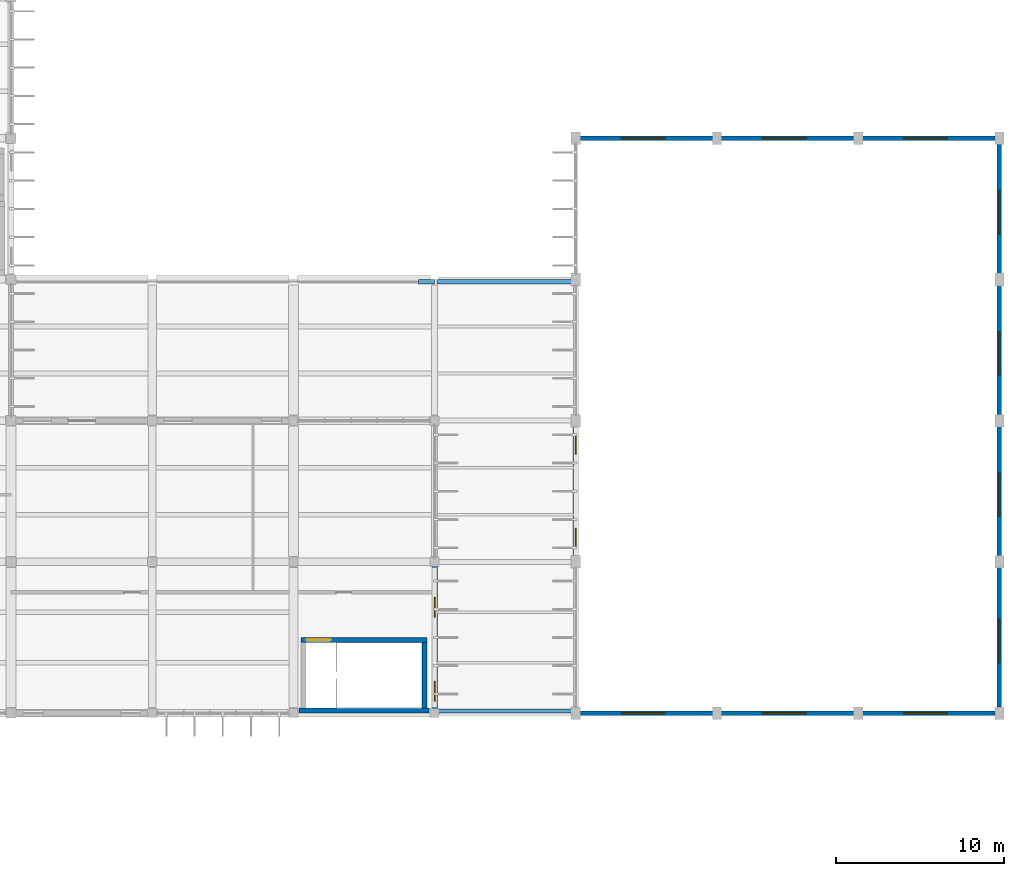
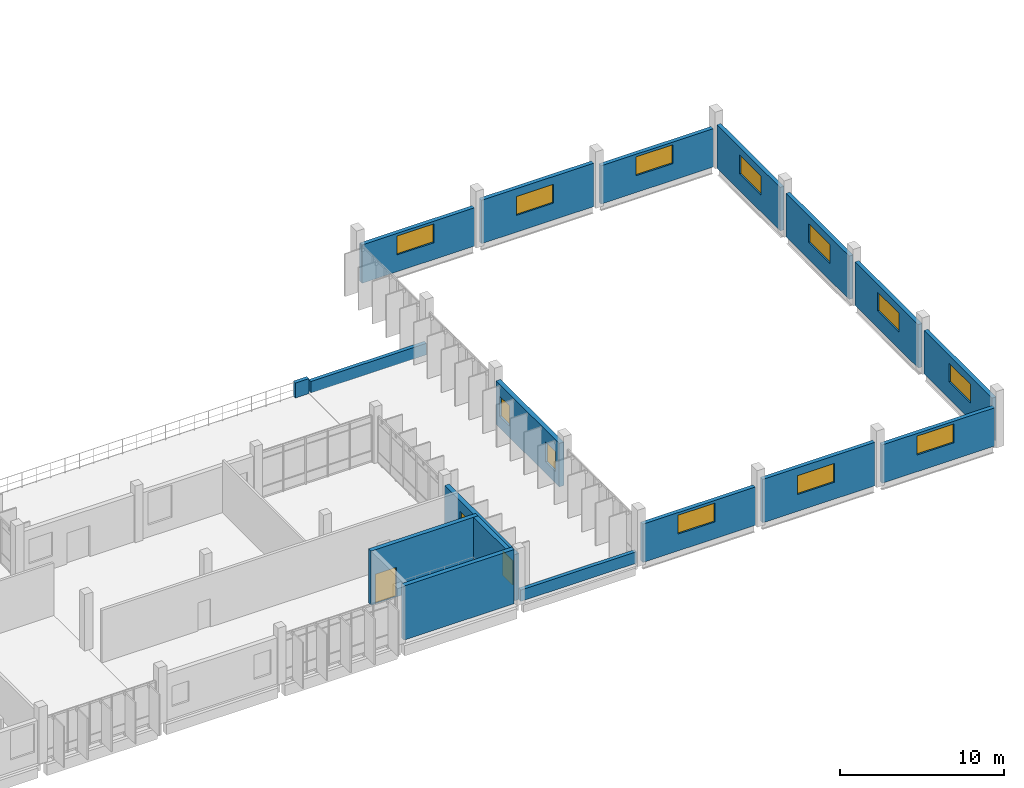
# One storey, part 118 of 130: 18 walls, 14 windows, 1 door, 15 openings.
"""IFC4 building model written with IfcOpenShell, lengths in metres."""

from ifc_helpers import new_model, si_unit, direction, frame, frame_2d, origin, place, context, subcontext, project, spatial, rectangle, extrude, material, layer, layer_set, type_object, element, fill, save


model = new_model("IFC4")

# Units and contexts
model_context = context("Model", 3, precision=1e-05, world=origin(), true_north=direction((0.0, 1.0)))
body_context = subcontext(model_context, "Body", "Model", "MODEL_VIEW")
ifc_project = project(units=[si_unit("LENGTHUNIT", "METRE"), si_unit("AREAUNIT", "SQUARE_METRE"), si_unit("VOLUMEUNIT", "CUBIC_METRE"), si_unit("PLANEANGLEUNIT", "RADIAN"), si_unit("MASSUNIT", "GRAM", prefix="KILO")], contexts=[model_context])

# Site, building, storey
site_placement = place(None, origin())
site = spatial("IfcSite", under=ifc_project, at=site_placement, CompositionType="ELEMENT")
building_placement = place(site_placement, origin())
building = spatial("IfcBuilding", under=site, at=building_placement, Name="Vireocrest Preparatory School", CompositionType="ELEMENT")
storey_placement = place(building_placement, frame((0.0, 0.0, 9.0)))
storey = spatial("IfcBuildingStorey", under=building, at=storey_placement, Name="L02", CompositionType="ELEMENT", Elevation=9.0)

# Wall, openings, windows
ifc_material_1 = material(Name="Precast white concrete 40 MPa", Category="concrete")
ifc_layer_1 = layer(ifc_material_1, 0.320068359375)
ifc_layer_set_1 = layer_set([ifc_layer_1], Name="Precast white concrete 40 MPa")
wall_type_1 = type_object("IfcWallType", Name="High-Tech Insulated Rainscreen External Wall 320", PredefinedType="SOLIDWALL", material=ifc_layer_set_1)
wall_1_placement = place(storey_placement, frame((134.39990234375, 18.25, 0.0), z_axis=(0.0, 0.0, 1.0), x_axis=(0.0, 1.0, 0.0)))
wall_1 = element("IfcWall", 1, at=wall_1_placement, inside=storey, type_object=wall_type_1, Name="External Wall W12 EW_L02_0267", PredefinedType="SOLIDWALL", context=body_context, shape_type="SweptSolid", body=[
    extrude(rectangle(XDim=8.5, YDim=0.320068359375, at=frame_2d((4.25, 0.0))), origin(), (0.0, 0.0, 1.0), 3.429931640625),
])
opening_1_placement = place(wall_1_placement, frame((0.449951171875, 0.0, 0.85009765625)))
opening_1 = element("IfcOpeningElement", 2, at=opening_1_placement, cuts=wall_1, Name="Opening WN02", PredefinedType="OPENING", context=body_context, shape_type="SweptSolid", body=[
    extrude(rectangle(XDim=1.199951171875, YDim=1.800048828125, at=frame_2d((0.60009765625, 0.89990234375))), frame((0.0, 0.169921875, 0.0), z_axis=(0.0, -1.0, 0.0), x_axis=(1.0, 0.0, 0.0)), (0.0, 0.0, 1.0), 0.340087890625),
])
opening_2_placement = place(wall_1_placement, frame((5.449951171875, 0.0, 0.85009765625)))
opening_2 = element("IfcOpeningElement", 3, at=opening_2_placement, cuts=wall_1, Name="Opening WN02", PredefinedType="OPENING", context=body_context, shape_type="SweptSolid", body=[
    extrude(rectangle(XDim=1.199951171875, YDim=1.800048828125, at=frame_2d((0.60009765625, 0.89990234375))), frame((0.0, 0.169921875, 0.0), z_axis=(0.0, -1.0, 0.0), x_axis=(1.0, 0.0, 0.0)), (0.0, 0.0, 1.0), 0.340087890625),
])
ifc_material_2 = material(Name="Thermally broken aluminium EN AW-6063-T6", Category="aluminium")
window_type_1 = type_object("IfcWindowType", Name="Counseling Window 1200x1800", PartitioningType="SINGLE_PANEL", PredefinedType="WINDOW", material=ifc_material_2)
window_1_placement = place(opening_1_placement, origin())
window_1 = element("IfcWindow", 4, at=window_1_placement, inside=storey, type_object=window_type_1, Name="Window W-L02-125 (WN02)", OverallHeight=1.800048828125, OverallWidth=1.199951171875, PartitioningType="SINGLE_PANEL", PredefinedType="WINDOW", context=body_context, shape_type="SweptSolid", body=[
    extrude(rectangle(XDim=1.199951171875, YDim=1.800048828125, at=frame_2d((0.60009765625, 0.89990234375))), frame((0.0, 0.030029296875, 0.0), z_axis=(0.0, -1.0, 0.0), x_axis=(1.0, 0.0, 0.0)), (0.0, 0.0, 1.0), 0.06005859375),
])
fill(opening_1, window_1)
window_2_placement = place(opening_2_placement, origin())
window_2 = element("IfcWindow", 5, at=window_2_placement, inside=storey, type_object=window_type_1, Name="Window W-L02-126 (WN02)", OverallHeight=1.800048828125, OverallWidth=1.199951171875, PartitioningType="SINGLE_PANEL", PredefinedType="WINDOW", context=body_context, shape_type="SweptSolid", body=[
    extrude(rectangle(XDim=1.199951171875, YDim=1.800048828125, at=frame_2d((0.60009765625, 0.89990234375))), frame((0.0, 0.030029296875, 0.0), z_axis=(0.0, -1.0, 0.0), x_axis=(1.0, 0.0, 0.0)), (0.0, 0.0, 1.0), 0.06005859375),
])
fill(opening_2, window_2)

wall_2_placement = place(storey_placement, frame((142.800048828125, 27.35009765625, 0.0), z_axis=(0.0, 0.0, 1.0), x_axis=(0.0, 1.0, 0.0)))
wall_2 = element("IfcWall", 6, at=wall_2_placement, inside=storey, type_object=wall_type_1, Name="External Wall W12 EW_L02_0273", PredefinedType="SOLIDWALL", context=body_context, shape_type="SweptSolid", body=[
    extrude(rectangle(XDim=7.699951171875, YDim=0.320068359375, at=frame_2d((3.85009765625, 0.0))), origin(), (0.0, 0.0, 1.0), 3.22705078125),
])
opening_3_placement = place(wall_2_placement, frame((0.449951171875, 0.0, 0.85009765625)))
opening_3 = element("IfcOpeningElement", 7, at=opening_3_placement, cuts=wall_2, Name="Opening WN01", PredefinedType="OPENING", context=body_context, shape_type="SweptSolid", body=[
    extrude(rectangle(XDim=1.199951171875, YDim=1.5, at=frame_2d((0.60009765625, 0.75))), frame((0.0, 0.169921875, 0.0), z_axis=(0.0, -1.0, 0.0), x_axis=(1.0, 0.0, 0.0)), (0.0, 0.0, 1.0), 0.340087890625),
])
opening_4_placement = place(wall_2_placement, frame((6.050048828125, 0.0, 0.85009765625)))
opening_4 = element("IfcOpeningElement", 8, at=opening_4_placement, cuts=wall_2, Name="Opening WN01", PredefinedType="OPENING", context=body_context, shape_type="SweptSolid", body=[
    extrude(rectangle(XDim=1.199951171875, YDim=1.5, at=frame_2d((0.60009765625, 0.75))), frame((0.0, 0.169921875, 0.0), z_axis=(0.0, -1.0, 0.0), x_axis=(1.0, 0.0, 0.0)), (0.0, 0.0, 1.0), 0.340087890625),
])
window_type_2 = type_object("IfcWindowType", Name="Office Punched Window 1200x1500", PartitioningType="SINGLE_PANEL", PredefinedType="WINDOW", material=ifc_material_2)
window_3_placement = place(opening_3_placement, origin())
window_3 = element("IfcWindow", 9, at=window_3_placement, inside=storey, type_object=window_type_2, Name="Window W-L02-130 (WN01)", OverallHeight=1.5, OverallWidth=1.199951171875, PartitioningType="SINGLE_PANEL", PredefinedType="WINDOW", context=body_context, shape_type="SweptSolid", body=[
    extrude(rectangle(XDim=1.199951171875, YDim=1.5, at=frame_2d((0.60009765625, 0.75))), frame((0.0, 0.030029296875, 0.0), z_axis=(0.0, -1.0, 0.0), x_axis=(1.0, 0.0, 0.0)), (0.0, 0.0, 1.0), 0.06005859375),
])
fill(opening_3, window_3)
window_4_placement = place(opening_4_placement, origin())
window_4 = element("IfcWindow", 10, at=window_4_placement, inside=storey, type_object=window_type_2, Name="Window W-L02-131 (WN01)", OverallHeight=1.5, OverallWidth=1.199951171875, PartitioningType="SINGLE_PANEL", PredefinedType="WINDOW", context=body_context, shape_type="SweptSolid", body=[
    extrude(rectangle(XDim=1.199951171875, YDim=1.5, at=frame_2d((0.60009765625, 0.75))), frame((0.0, 0.030029296875, 0.0), z_axis=(0.0, -1.0, 0.0), x_axis=(1.0, 0.0, 0.0)), (0.0, 0.0, 1.0), 0.06005859375),
])
fill(opening_4, window_4)

# Wall, opening, window
ifc_layer_2 = layer(ifc_material_1, 0.280029296875)
ifc_layer_set_2 = layer_set([ifc_layer_2], Name="Precast white concrete 40 MPa")
wall_type_2 = type_object("IfcWallType", Name="Insulated Hall Precast Cladding Wall 280", PredefinedType="SOLIDWALL", material=ifc_layer_set_2)
wall_3_placement = place(storey_placement, frame((143.050048828125, 52.199951171875, 0.0), z_axis=(0.0, 0.0, 1.0), x_axis=(1.0, 0.0, 0.0)))
wall_3 = element("IfcWall", 11, at=wall_3_placement, inside=storey, type_object=wall_type_2, Name="External Wall W10 EW_L02_0269", PredefinedType="SOLIDWALL", context=body_context, shape_type="SweptSolid", body=[
    extrude(rectangle(XDim=7.89990234375, YDim=0.280029296875, at=frame_2d((3.949951171875, 0.0))), origin(), (0.0, 0.0, 1.0), 2.845703125),
])
opening_5_placement = place(wall_3_placement, frame((2.449951171875, 0.0, 1.25)))
opening_5 = element("IfcOpeningElement", 12, at=opening_5_placement, cuts=wall_3, Name="Opening WN21", PredefinedType="OPENING", context=body_context, shape_type="SweptSolid", body=[
    extrude(rectangle(XDim=2.60009765625, YDim=1.39990234375, at=frame_2d((1.300048828125, 0.699951171875))), frame((0.0, 0.14990234375, 0.0), z_axis=(0.0, -1.0, 0.0), x_axis=(1.0, 0.0, 0.0)), (0.0, 0.0, 1.0), 0.300048828125),
])
window_type_3 = type_object("IfcWindowType", Name="Assembly Hall Clerestory Window 2600x1400", PartitioningType="DOUBLE_PANEL_VERTICAL", PredefinedType="WINDOW", material=ifc_material_2)
window_5_placement = place(opening_5_placement, origin())
window_5 = element("IfcWindow", 13, at=window_5_placement, inside=storey, type_object=window_type_3, Name="Window W-L02-127 (WN21)", OverallHeight=1.39990234375, OverallWidth=2.60009765625, PartitioningType="SINGLE_PANEL", PredefinedType="WINDOW", context=body_context, shape_type="SweptSolid", body=[
    extrude(rectangle(XDim=2.60009765625, YDim=1.39990234375, at=frame_2d((1.300048828125, 0.699951171875))), frame((0.0, 0.030029296875, 0.0), z_axis=(0.0, -1.0, 0.0), x_axis=(1.0, 0.0, 0.0)), (0.0, 0.0, 1.0), 0.06005859375),
])
fill(opening_5, window_5)

wall_4_placement = place(storey_placement, frame((151.449951171875, 52.199951171875, 0.0), z_axis=(0.0, 0.0, 1.0), x_axis=(1.0, 0.0, 0.0)))
wall_4 = element("IfcWall", 14, at=wall_4_placement, inside=storey, type_object=wall_type_2, Name="External Wall W10 EW_L02_0270", PredefinedType="SOLIDWALL", context=body_context, shape_type="SweptSolid", body=[
    extrude(rectangle(XDim=7.900146484375, YDim=0.280029296875, at=frame_2d((3.9501953125, 0.0))), origin(), (0.0, 0.0, 1.0), 3.22705078125),
])
opening_6_placement = place(wall_4_placement, frame((2.449951171875, 0.0, 1.25)))
opening_6 = element("IfcOpeningElement", 15, at=opening_6_placement, cuts=wall_4, Name="Opening WN21", PredefinedType="OPENING", context=body_context, shape_type="SweptSolid", body=[
    extrude(rectangle(XDim=2.60009765625, YDim=1.39990234375, at=frame_2d((1.300048828125, 0.699951171875))), frame((0.0, 0.14990234375, 0.0), z_axis=(0.0, -1.0, 0.0), x_axis=(1.0, 0.0, 0.0)), (0.0, 0.0, 1.0), 0.300048828125),
])
window_6_placement = place(opening_6_placement, origin())
window_6 = element("IfcWindow", 16, at=window_6_placement, inside=storey, type_object=window_type_3, Name="Window W-L02-128 (WN21)", OverallHeight=1.39990234375, OverallWidth=2.60009765625, PartitioningType="SINGLE_PANEL", PredefinedType="WINDOW", context=body_context, shape_type="SweptSolid", body=[
    extrude(rectangle(XDim=2.60009765625, YDim=1.39990234375, at=frame_2d((1.300048828125, 0.699951171875))), frame((0.0, 0.030029296875, 0.0), z_axis=(0.0, -1.0, 0.0), x_axis=(1.0, 0.0, 0.0)), (0.0, 0.0, 1.0), 0.06005859375),
])
fill(opening_6, window_6)

wall_5_placement = place(storey_placement, frame((159.85009765625, 52.199951171875, 0.0), z_axis=(0.0, 0.0, 1.0), x_axis=(1.0, 0.0, 0.0)))
wall_5 = element("IfcWall", 17, at=wall_5_placement, inside=storey, type_object=wall_type_2, Name="External Wall W10 EW_L02_0271", PredefinedType="SOLIDWALL", context=body_context, shape_type="SweptSolid", body=[
    extrude(rectangle(XDim=7.89990234375, YDim=0.280029296875, at=frame_2d((3.949951171875, 0.0))), origin(), (0.0, 0.0, 1.0), 2.845703125),
])
opening_7_placement = place(wall_5_placement, frame((2.449951171875, 0.0, 1.25)))
opening_7 = element("IfcOpeningElement", 18, at=opening_7_placement, cuts=wall_5, Name="Opening WN21", PredefinedType="OPENING", context=body_context, shape_type="SweptSolid", body=[
    extrude(rectangle(XDim=2.60009765625, YDim=1.39990234375, at=frame_2d((1.300048828125, 0.699951171875))), frame((0.0, 0.14990234375, 0.0), z_axis=(0.0, -1.0, 0.0), x_axis=(1.0, 0.0, 0.0)), (0.0, 0.0, 1.0), 0.300048828125),
])
window_7_placement = place(opening_7_placement, origin())
window_7 = element("IfcWindow", 19, at=window_7_placement, inside=storey, type_object=window_type_3, Name="Window W-L02-129 (WN21)", OverallHeight=1.39990234375, OverallWidth=2.60009765625, PartitioningType="SINGLE_PANEL", PredefinedType="WINDOW", context=body_context, shape_type="SweptSolid", body=[
    extrude(rectangle(XDim=2.60009765625, YDim=1.39990234375, at=frame_2d((1.300048828125, 0.699951171875))), frame((0.0, 0.030029296875, 0.0), z_axis=(0.0, -1.0, 0.0), x_axis=(1.0, 0.0, 0.0)), (0.0, 0.0, 1.0), 0.06005859375),
])
fill(opening_7, window_7)

wall_6_placement = place(storey_placement, frame((143.050048828125, 18.0, 0.0), z_axis=(0.0, 0.0, 1.0), x_axis=(1.0, 0.0, 0.0)))
wall_6 = element("IfcWall", 20, at=wall_6_placement, inside=storey, type_object=wall_type_2, Name="External Wall W10 EW_L02_0276", PredefinedType="SOLIDWALL", context=body_context, shape_type="SweptSolid", body=[
    extrude(rectangle(XDim=7.89990234375, YDim=0.280029296875, at=frame_2d((3.949951171875, 0.0))), origin(), (0.0, 0.0, 1.0), 2.845703125),
])
opening_8_placement = place(wall_6_placement, frame((2.449951171875, 0.0, 1.25)))
opening_8 = element("IfcOpeningElement", 21, at=opening_8_placement, cuts=wall_6, Name="Opening WN21", PredefinedType="OPENING", context=body_context, shape_type="SweptSolid", body=[
    extrude(rectangle(XDim=2.60009765625, YDim=1.39990234375, at=frame_2d((1.300048828125, 0.699951171875))), frame((0.0, 0.14990234375, 0.0), z_axis=(0.0, -1.0, 0.0), x_axis=(1.0, 0.0, 0.0)), (0.0, 0.0, 1.0), 0.300048828125),
])
window_8_placement = place(opening_8_placement, origin())
window_8 = element("IfcWindow", 22, at=window_8_placement, inside=storey, type_object=window_type_3, Name="Window W-L02-132 (WN21)", OverallHeight=1.39990234375, OverallWidth=2.60009765625, PartitioningType="SINGLE_PANEL", PredefinedType="WINDOW", context=body_context, shape_type="SweptSolid", body=[
    extrude(rectangle(XDim=2.60009765625, YDim=1.39990234375, at=frame_2d((1.300048828125, 0.699951171875))), frame((0.0, 0.030029296875, 0.0), z_axis=(0.0, -1.0, 0.0), x_axis=(1.0, 0.0, 0.0)), (0.0, 0.0, 1.0), 0.06005859375),
])
fill(opening_8, window_8)

wall_7_placement = place(storey_placement, frame((151.449951171875, 18.0, 0.0), z_axis=(0.0, 0.0, 1.0), x_axis=(1.0, 0.0, 0.0)))
wall_7 = element("IfcWall", 23, at=wall_7_placement, inside=storey, type_object=wall_type_2, Name="External Wall W10 EW_L02_0277", PredefinedType="SOLIDWALL", context=body_context, shape_type="SweptSolid", body=[
    extrude(rectangle(XDim=7.900146484375, YDim=0.280029296875, at=frame_2d((3.9501953125, 0.0))), origin(), (0.0, 0.0, 1.0), 3.22705078125),
])
opening_9_placement = place(wall_7_placement, frame((2.449951171875, 0.0, 1.25)))
opening_9 = element("IfcOpeningElement", 24, at=opening_9_placement, cuts=wall_7, Name="Opening WN21", PredefinedType="OPENING", context=body_context, shape_type="SweptSolid", body=[
    extrude(rectangle(XDim=2.60009765625, YDim=1.39990234375, at=frame_2d((1.300048828125, 0.699951171875))), frame((0.0, 0.14990234375, 0.0), z_axis=(0.0, -1.0, 0.0), x_axis=(1.0, 0.0, 0.0)), (0.0, 0.0, 1.0), 0.300048828125),
])
window_9_placement = place(opening_9_placement, origin())
window_9 = element("IfcWindow", 25, at=window_9_placement, inside=storey, type_object=window_type_3, Name="Window W-L02-133 (WN21)", OverallHeight=1.39990234375, OverallWidth=2.60009765625, PartitioningType="SINGLE_PANEL", PredefinedType="WINDOW", context=body_context, shape_type="SweptSolid", body=[
    extrude(rectangle(XDim=2.60009765625, YDim=1.39990234375, at=frame_2d((1.300048828125, 0.699951171875))), frame((0.0, 0.030029296875, 0.0), z_axis=(0.0, -1.0, 0.0), x_axis=(1.0, 0.0, 0.0)), (0.0, 0.0, 1.0), 0.06005859375),
])
fill(opening_9, window_9)

wall_8_placement = place(storey_placement, frame((159.85009765625, 18.0, 0.0), z_axis=(0.0, 0.0, 1.0), x_axis=(1.0, 0.0, 0.0)))
wall_8 = element("IfcWall", 26, at=wall_8_placement, inside=storey, type_object=wall_type_2, Name="External Wall W10 EW_L02_0278", PredefinedType="SOLIDWALL", context=body_context, shape_type="SweptSolid", body=[
    extrude(rectangle(XDim=7.89990234375, YDim=0.280029296875, at=frame_2d((3.949951171875, 0.0))), origin(), (0.0, 0.0, 1.0), 2.845703125),
])
opening_10_placement = place(wall_8_placement, frame((2.449951171875, 0.0, 1.25)))
opening_10 = element("IfcOpeningElement", 27, at=opening_10_placement, cuts=wall_8, Name="Opening WN21", PredefinedType="OPENING", context=body_context, shape_type="SweptSolid", body=[
    extrude(rectangle(XDim=2.60009765625, YDim=1.39990234375, at=frame_2d((1.300048828125, 0.699951171875))), frame((0.0, 0.14990234375, 0.0), z_axis=(0.0, -1.0, 0.0), x_axis=(1.0, 0.0, 0.0)), (0.0, 0.0, 1.0), 0.300048828125),
])
window_10_placement = place(opening_10_placement, origin())
window_10 = element("IfcWindow", 28, at=window_10_placement, inside=storey, type_object=window_type_3, Name="Window W-L02-134 (WN21)", OverallHeight=1.39990234375, OverallWidth=2.60009765625, PartitioningType="SINGLE_PANEL", PredefinedType="WINDOW", context=body_context, shape_type="SweptSolid", body=[
    extrude(rectangle(XDim=2.60009765625, YDim=1.39990234375, at=frame_2d((1.300048828125, 0.699951171875))), frame((0.0, 0.030029296875, 0.0), z_axis=(0.0, -1.0, 0.0), x_axis=(1.0, 0.0, 0.0)), (0.0, 0.0, 1.0), 0.06005859375),
])
fill(opening_10, window_10)

wall_9_placement = place(storey_placement, frame((168.0, 18.35009765625, 0.0), z_axis=(0.0, 0.0, 1.0), x_axis=(0.0, 1.0, 0.0)))
wall_9 = element("IfcWall", 29, at=wall_9_placement, inside=storey, type_object=wall_type_2, Name="External Wall W10 EW_L02_0279", PredefinedType="SOLIDWALL", context=body_context, shape_type="SweptSolid", body=[
    extrude(rectangle(XDim=8.2998046875, YDim=0.280029296875, at=frame_2d((4.14990234375, 0.0))), origin(), (0.0, 0.0, 1.0), 3.22705078125),
])
opening_11_placement = place(wall_9_placement, frame((2.64990234375, 0.0, 1.25)))
opening_11 = element("IfcOpeningElement", 30, at=opening_11_placement, cuts=wall_9, Name="Opening WN21", PredefinedType="OPENING", context=body_context, shape_type="SweptSolid", body=[
    extrude(rectangle(XDim=2.60009765625, YDim=1.39990234375, at=frame_2d((1.300048828125, 0.699951171875))), frame((0.0, 0.14990234375, 0.0), z_axis=(0.0, -1.0, 0.0), x_axis=(1.0, 0.0, 0.0)), (0.0, 0.0, 1.0), 0.300048828125),
])
window_11_placement = place(opening_11_placement, origin())
window_11 = element("IfcWindow", 31, at=window_11_placement, inside=storey, type_object=window_type_3, Name="Window W-L02-135 (WN21)", OverallHeight=1.39990234375, OverallWidth=2.60009765625, PartitioningType="SINGLE_PANEL", PredefinedType="WINDOW", context=body_context, shape_type="SweptSolid", body=[
    extrude(rectangle(XDim=2.60009765625, YDim=1.39990234375, at=frame_2d((1.300048828125, 0.699951171875))), frame((0.0, 0.030029296875, 0.0), z_axis=(0.0, -1.0, 0.0), x_axis=(1.0, 0.0, 0.0)), (0.0, 0.0, 1.0), 0.06005859375),
])
fill(opening_11, window_11)

wall_10_placement = place(storey_placement, frame((168.0, 27.35009765625, 0.0), z_axis=(0.0, 0.0, 1.0), x_axis=(0.0, 1.0, 0.0)))
wall_10 = element("IfcWall", 32, at=wall_10_placement, inside=storey, type_object=wall_type_2, Name="External Wall W10 EW_L02_0280", PredefinedType="SOLIDWALL", context=body_context, shape_type="SweptSolid", body=[
    extrude(rectangle(XDim=7.699951171875, YDim=0.280029296875, at=frame_2d((3.85009765625, 0.0))), origin(), (0.0, 0.0, 1.0), 3.22705078125),
])
opening_12_placement = place(wall_10_placement, frame((2.35009765625, 0.0, 1.25)))
opening_12 = element("IfcOpeningElement", 33, at=opening_12_placement, cuts=wall_10, Name="Opening WN21", PredefinedType="OPENING", context=body_context, shape_type="SweptSolid", body=[
    extrude(rectangle(XDim=2.60009765625, YDim=1.39990234375, at=frame_2d((1.300048828125, 0.699951171875))), frame((0.0, 0.14990234375, 0.0), z_axis=(0.0, -1.0, 0.0), x_axis=(1.0, 0.0, 0.0)), (0.0, 0.0, 1.0), 0.300048828125),
])
window_12_placement = place(opening_12_placement, origin())
window_12 = element("IfcWindow", 34, at=window_12_placement, inside=storey, type_object=window_type_3, Name="Window W-L02-136 (WN21)", OverallHeight=1.39990234375, OverallWidth=2.60009765625, PartitioningType="SINGLE_PANEL", PredefinedType="WINDOW", context=body_context, shape_type="SweptSolid", body=[
    extrude(rectangle(XDim=2.60009765625, YDim=1.39990234375, at=frame_2d((1.300048828125, 0.699951171875))), frame((0.0, 0.030029296875, 0.0), z_axis=(0.0, -1.0, 0.0), x_axis=(1.0, 0.0, 0.0)), (0.0, 0.0, 1.0), 0.06005859375),
])
fill(opening_12, window_12)

wall_11_placement = place(storey_placement, frame((168.0, 35.75, 0.0), z_axis=(0.0, 0.0, 1.0), x_axis=(0.0, 1.0, 0.0)))
wall_11 = element("IfcWall", 35, at=wall_11_placement, inside=storey, type_object=wall_type_2, Name="External Wall W10 EW_L02_0281", PredefinedType="SOLIDWALL", context=body_context, shape_type="SweptSolid", body=[
    extrude(rectangle(XDim=7.699951171875, YDim=0.280029296875, at=frame_2d((3.85009765625, 0.0))), origin(), (0.0, 0.0, 1.0), 3.22705078125),
])
opening_13_placement = place(wall_11_placement, frame((2.35009765625, 0.0, 1.25)))
opening_13 = element("IfcOpeningElement", 36, at=opening_13_placement, cuts=wall_11, Name="Opening WN21", PredefinedType="OPENING", context=body_context, shape_type="SweptSolid", body=[
    extrude(rectangle(XDim=2.60009765625, YDim=1.39990234375, at=frame_2d((1.300048828125, 0.699951171875))), frame((0.0, 0.14990234375, 0.0), z_axis=(0.0, -1.0, 0.0), x_axis=(1.0, 0.0, 0.0)), (0.0, 0.0, 1.0), 0.300048828125),
])
window_13_placement = place(opening_13_placement, origin())
window_13 = element("IfcWindow", 37, at=window_13_placement, inside=storey, type_object=window_type_3, Name="Window W-L02-137 (WN21)", OverallHeight=1.39990234375, OverallWidth=2.60009765625, PartitioningType="SINGLE_PANEL", PredefinedType="WINDOW", context=body_context, shape_type="SweptSolid", body=[
    extrude(rectangle(XDim=2.60009765625, YDim=1.39990234375, at=frame_2d((1.300048828125, 0.699951171875))), frame((0.0, 0.030029296875, 0.0), z_axis=(0.0, -1.0, 0.0), x_axis=(1.0, 0.0, 0.0)), (0.0, 0.0, 1.0), 0.06005859375),
])
fill(opening_13, window_13)

wall_12_placement = place(storey_placement, frame((168.0, 44.14990234375, 0.0), z_axis=(0.0, 0.0, 1.0), x_axis=(0.0, 1.0, 0.0)))
wall_12 = element("IfcWall", 38, at=wall_12_placement, inside=storey, type_object=wall_type_2, Name="External Wall W10 EW_L02_0282", PredefinedType="SOLIDWALL", context=body_context, shape_type="SweptSolid", body=[
    extrude(rectangle(XDim=7.7001953125, YDim=0.280029296875, at=frame_2d((3.85009765625, 0.0))), origin(), (0.0, 0.0, 1.0), 3.22705078125),
])
opening_14_placement = place(wall_12_placement, frame((2.35009765625, 0.0, 1.25)))
opening_14 = element("IfcOpeningElement", 39, at=opening_14_placement, cuts=wall_12, Name="Opening WN21", PredefinedType="OPENING", context=body_context, shape_type="SweptSolid", body=[
    extrude(rectangle(XDim=2.60009765625, YDim=1.39990234375, at=frame_2d((1.300048828125, 0.699951171875))), frame((0.0, 0.14990234375, 0.0), z_axis=(0.0, -1.0, 0.0), x_axis=(1.0, 0.0, 0.0)), (0.0, 0.0, 1.0), 0.300048828125),
])
window_14_placement = place(opening_14_placement, origin())
window_14 = element("IfcWindow", 40, at=window_14_placement, inside=storey, type_object=window_type_3, Name="Window W-L02-138 (WN21)", OverallHeight=1.39990234375, OverallWidth=2.60009765625, PartitioningType="SINGLE_PANEL", PredefinedType="WINDOW", context=body_context, shape_type="SweptSolid", body=[
    extrude(rectangle(XDim=2.60009765625, YDim=1.39990234375, at=frame_2d((1.300048828125, 0.699951171875))), frame((0.0, 0.030029296875, 0.0), z_axis=(0.0, -1.0, 0.0), x_axis=(1.0, 0.0, 0.0)), (0.0, 0.0, 1.0), 0.06005859375),
])
fill(opening_14, window_14)

# Walls
ifc_layer_3 = layer(ifc_material_1, 0.260009765625)
ifc_layer_set_3 = layer_set([ifc_layer_3], Name="Precast white concrete 40 MPa")
wall_type_3 = type_object("IfcWallType", Name="Insulated Roof Parapet Wall 260", PredefinedType="PARAPET", material=ifc_layer_set_3)
for number, where, z_axis, x_axis, name in (
    (41, (134.530029296875, 18.1298828125, 0.0), (0.0, 0.0, 1.0), (1.0, 0.0, 0.0), "Roof Parapet W09 L02_EAST_LINK_ROOF_E-11"),
    (42, (134.530029296875, 43.669921875, 0.0), (0.0, 0.0, 1.0), (1.0, 0.0, 0.0), "Roof Parapet W09 L02_EAST_LINK_ROOF_E-12"),
):
    element("IfcWall", number, at=place(storey_placement, frame(where, z_axis=z_axis, x_axis=x_axis)), inside=storey, type_object=wall_type_3, Name=name, PredefinedType="PARAPET", context=body_context, shape_type="SweptSolid", body=[
        extrude(rectangle(XDim=8.139892578125, YDim=0.260009765625, at=frame_2d((4.06982421875, 0.0))), origin(), (0.0, 0.0, 1.0), 0.85009765625),
    ])
wall_13_placement = place(storey_placement, frame((133.449951171875, 43.669921875, 0.0), z_axis=(0.0, 0.0, 1.0), x_axis=(1.0, 0.0, 0.0)))
element("IfcWall", 43, at=wall_13_placement, inside=storey, type_object=wall_type_3, Name="Terrace Parapet Return W09 L02-49", PredefinedType="PARAPET", context=body_context, shape_type="SweptSolid", body=[
    extrude(rectangle(XDim=0.949951171875, YDim=0.260009765625, at=frame_2d((0.47509765625, 0.0))), origin(), (0.0, 0.0, 1.0), 1.1201171875),
])
ifc_material_3 = material(Name="Concrete 45 MPa", Category="concrete")
ifc_layer_4 = layer(ifc_material_3, 0.300048828125)
ifc_layer_set_4 = layer_set([ifc_layer_4], Name="Concrete 45 MPa")
wall_type_4 = type_object("IfcWallType", Name="Two-Hour RC Stair Shaft Shear Wall 300", PredefinedType="SHEAR", material=ifc_layer_set_4)
wall_14_placement = place(storey_placement, frame((126.324951171875, 18.14990234375, 0.0), z_axis=(0.0, 0.0, 1.0), x_axis=(1.0, 0.0, 0.0)))
element("IfcWall", 44, at=wall_14_placement, inside=storey, type_object=wall_type_4, Name="Stair Core Shear Wall ST6 L02-S", PredefinedType="SHEAR", context=body_context, shape_type="SweptSolid", body=[
    extrude(rectangle(XDim=7.75, YDim=0.300048828125, at=frame_2d((3.875, 0.0))), origin(), (0.0, 0.0, 1.0), 4.02490234375),
])

# Wall, opening, door
wall_15_placement = place(storey_placement, frame((126.449951171875, 22.35009765625, 0.0), z_axis=(0.0, 0.0, 1.0), x_axis=(1.0, 0.0, 0.0)))
wall_15 = element("IfcWall", 45, at=wall_15_placement, inside=storey, type_object=wall_type_4, Name="Stair Core Shear Wall ST6 L02-N", PredefinedType="SHEAR", context=body_context, shape_type="SweptSolid", body=[
    extrude(rectangle(XDim=7.5, YDim=0.300048828125, at=frame_2d((3.75, 0.0))), origin(), (0.0, 0.0, 1.0), 4.02490234375),
])
opening_15_placement = place(wall_15_placement, frame((0.300048828125, 0.0, 0.0)))
opening_15 = element("IfcOpeningElement", 46, at=opening_15_placement, cuts=wall_15, Name="Opening SD-ST6-L02", PredefinedType="OPENING", context=body_context, shape_type="SweptSolid", body=[
    extrude(rectangle(XDim=1.5, YDim=2.199951171875, at=frame_2d((0.75, 1.10009765625))), frame((0.0, 0.159912109375, 0.0), z_axis=(0.0, -1.0, 0.0), x_axis=(1.0, 0.0, 0.0)), (0.0, 0.0, 1.0), 0.320068359375),
])
ifc_material_4 = material(Name="Painted galvanized hollow steel", Category="steel")
door_type = type_object("IfcDoorType", Name="Stair Enclosure Fire Door 1500x2200", OperationType="DOUBLE_DOOR_SINGLE_SWING", PredefinedType="DOOR", material=ifc_material_4)
door_placement = place(opening_15_placement, origin())
door = element("IfcDoor", 47, at=door_placement, inside=storey, type_object=door_type, Name="Stair Enclosure Fire Door SD-ST6-L02", OperationType="DOUBLE_DOOR_SINGLE_SWING", OverallHeight=2.199951171875, OverallWidth=1.5, PredefinedType="DOOR", context=body_context, shape_type="SweptSolid", body=[
    extrude(rectangle(XDim=1.5, YDim=2.199951171875, at=frame_2d((0.75, 1.10009765625))), frame((0.0, 0.02490234375, 0.0), z_axis=(0.0, -1.0, 0.0), x_axis=(1.0, 0.0, 0.0)), (0.0, 0.0, 1.0), 0.050048828125),
])
fill(opening_15, door)

# Wall
wall_16_placement = place(storey_placement, frame((133.800048828125, 18.300048828125, 0.0), z_axis=(0.0, 0.0, 1.0), x_axis=(0.0, 1.0, 0.0)))
element("IfcWall", 48, at=wall_16_placement, inside=storey, type_object=wall_type_4, Name="Stair Core Shear Wall ST6 L02-E", PredefinedType="SHEAR", context=body_context, shape_type="SweptSolid", body=[
    extrude(rectangle(XDim=3.89990234375, YDim=0.300048828125, at=frame_2d((1.949951171875, 0.0))), origin(), (0.0, 0.0, 1.0), 4.02490234375),
])

save(model, "model.ifc")
